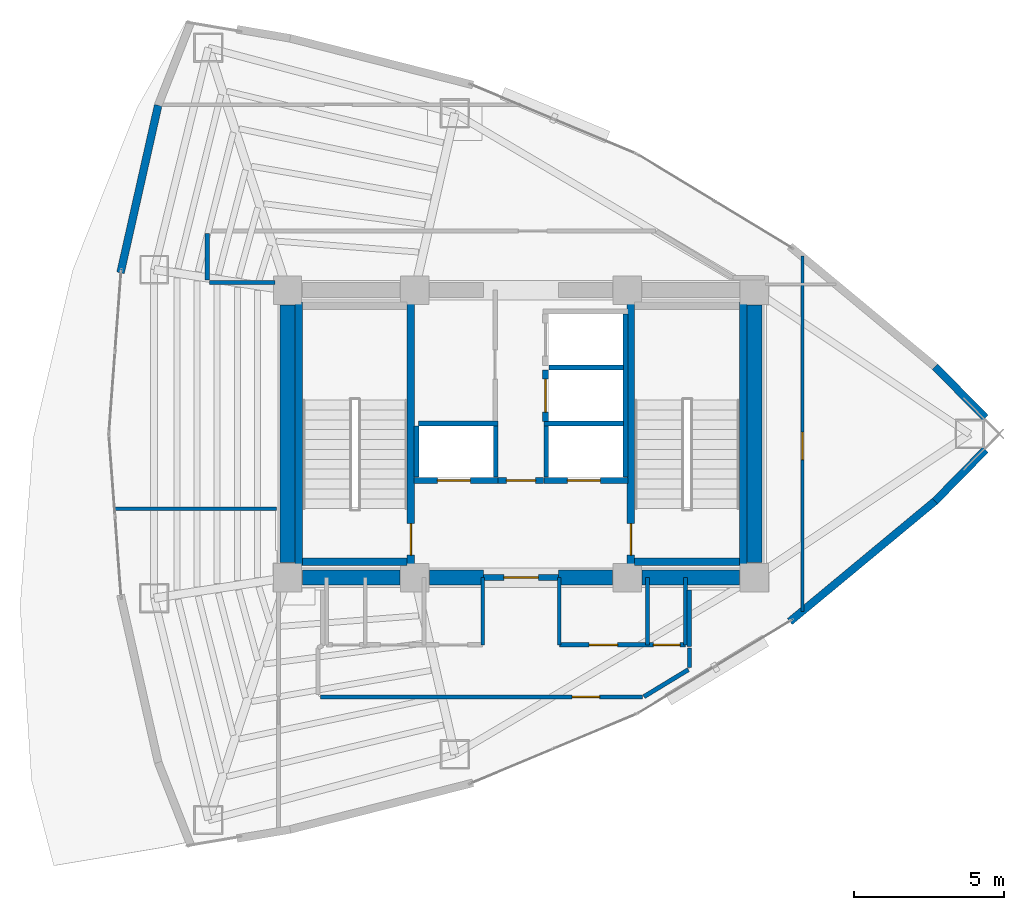
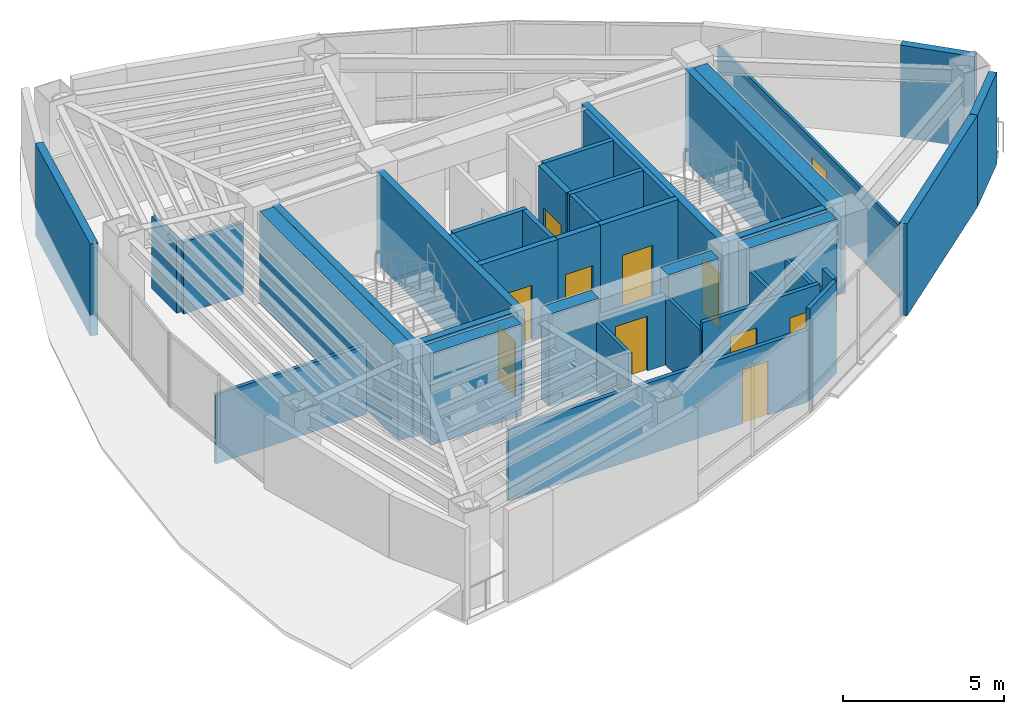
# One storey, part 12 of 15: 41 walls, 11 doors, 11 openings.
"""IFC4 building model written with IfcOpenShell, lengths in metres."""

import ifcopenshell
import ifcopenshell.guid

model = None  # the IFC model being written
_history = None  # IfcOwnerHistory: only IFC2X3 demands one
_inside = {}  # id of a spatial element -> (the spatial element, [elements in it])
_under = {}  # id of a project, library or spatial element -> (it, [spatial elements below it])
_declared = {}  # id of a project -> (the project, [libraries it declares])
_typed = {}  # id of a type object -> (the type object, [elements of that type])
_made_of = {}  # id of a material, layer set ... -> (it, [elements and type objects made of it])


def new_model(schema):
    """Start an empty IFC model of exactly this schema.

    Asked for "IFC4X3", IfcOpenShell would pick the latest addendum, in which some entities
    have other attributes; the version numbers below select the first issue.
    IFC2X3 requires an IfcOwnerHistory on every rooted entity: one is made here for all.
    """
    global model, _history
    if schema == "IFC4X3":
        model = ifcopenshell.file(schema_version=(4, 3, 0, 0))
    else:
        model = ifcopenshell.file(schema=schema)
    _inside.clear()
    _under.clear()
    _declared.clear()
    _typed.clear()
    _made_of.clear()
    _history = None
    if model.schema == "IFC2X3":
        org = make("IfcOrganization", Name="unknown")
        user = make(
            "IfcPersonAndOrganization",
            ThePerson=make("IfcPerson", FamilyName="unknown"),
            TheOrganization=org,
        )
        app = make(
            "IfcApplication",
            ApplicationDeveloper=org,
            Version="unknown",
            ApplicationFullName="unknown",
            ApplicationIdentifier="unknown",
        )
        _history = make(
            "IfcOwnerHistory",
            OwningUser=user,
            OwningApplication=app,
            ChangeAction="ADDED",
            CreationDate=0,
        )
    return model


def make(cls, **values):
    """One entity of the class cls with the attributes given. An attribute that is None is left unset."""
    return model.create_entity(
        cls, **{name: value for name, value in values.items() if value is not None}
    )


def rooted(cls, **values):
    """An entity with a GlobalId (a new one), such as an element, a storey or a relation."""
    return make(cls, GlobalId=ifcopenshell.guid.new(), OwnerHistory=_history, **values)


def si_unit(unit_type, name, prefix=None):
    """IfcSIUnit, for example si_unit("LENGTHUNIT", "METRE", prefix="MILLI")."""
    return make("IfcSIUnit", UnitType=unit_type, Prefix=prefix, Name=name)


def assignment(units):
    """IfcUnitAssignment: the units of a project."""
    return None if units is None else make("IfcUnitAssignment", Units=units)


def point(xyz):
    """IfcCartesianPoint."""
    return None if xyz is None else make("IfcCartesianPoint", Coordinates=xyz)


def direction(xyz):
    """IfcDirection."""
    return None if xyz is None else make("IfcDirection", DirectionRatios=xyz)


def frame(location, z_axis=None, x_axis=None):
    """IfcAxis2Placement3D, a coordinate frame: its origin and axes. An axis left out is left unset."""
    return make(
        "IfcAxis2Placement3D",
        Location=point(location),
        Axis=direction(z_axis),
        RefDirection=direction(x_axis),
    )


def frame_2d(location, x_axis=None):
    """IfcAxis2Placement2D, a coordinate frame in the plane: its origin and x axis."""
    return make(
        "IfcAxis2Placement2D", Location=point(location), RefDirection=direction(x_axis)
    )


def origin():
    """The frame at (0, 0, 0) with its axes left unset."""
    return frame((0.0, 0.0, 0.0))


def place(relative_to, where):
    """IfcLocalPlacement: puts the frame where relative to a parent placement (None: the world)."""
    return make(
        "IfcLocalPlacement", PlacementRelTo=relative_to, RelativePlacement=where
    )


def context(
    kind, dimensions, precision=None, world=None, true_north=None, identifier=None
):
    """IfcGeometricRepresentationContext, for example the 3D "Model" context."""
    return make(
        "IfcGeometricRepresentationContext",
        ContextIdentifier=identifier,
        ContextType=kind,
        CoordinateSpaceDimension=dimensions,
        Precision=precision,
        WorldCoordinateSystem=world,
        TrueNorth=true_north,
    )


def subcontext(parent, identifier, kind, view, scale=None):
    """IfcGeometricRepresentationSubContext, for example "Body" below "Model"."""
    return make(
        "IfcGeometricRepresentationSubContext",
        ContextIdentifier=identifier,
        ContextType=kind,
        ParentContext=parent,
        TargetScale=scale,
        TargetView=view,
    )


def project(units=None, contexts=None):
    """IfcProject with its units and contexts."""
    return rooted(
        "IfcProject",
        Name="project",
        RepresentationContexts=contexts,
        UnitsInContext=assignment(units),
    )


def spatial(cls, under=None, at=None, **own):
    """A site, building, storey or space (cls), placed at a placement, below another one or the project."""
    s = rooted(cls, ObjectPlacement=at, **own)
    if under is not None:
        _under.setdefault(under.id(), (under, []))[1].append(s)
    return s


def profile(cls, at=None, kind="AREA", **sizes):
    """A parametric profile (cls). Its sizes go by their IFC names, for example OverallWidth=200.0."""
    return make(cls, ProfileType=kind, Position=at, **sizes)


def rectangle(**sizes):
    """IfcRectangleProfileDef."""
    return profile("IfcRectangleProfileDef", **sizes)


def extrude(swept, where, along, depth):
    """IfcExtrudedAreaSolid: the profile swept, set in the frame where, extruded along a direction by depth."""
    return make(
        "IfcExtrudedAreaSolid",
        SweptArea=swept,
        Position=where,
        ExtrudedDirection=direction(along),
        Depth=depth,
    )


def shape(context_of_items, identifier, shape_type, items):
    """IfcShapeRepresentation: the items that make up one representation, for example the "Body"."""
    return make(
        "IfcShapeRepresentation",
        ContextOfItems=context_of_items,
        RepresentationIdentifier=identifier,
        RepresentationType=shape_type,
        Items=items,
    )


def material(Name=None, Category=None):
    """IfcMaterial."""
    return make("IfcMaterial", Name=Name, Category=Category)


def layer(
    of_material, thickness, ventilated=None, Name=None, Category=None, Priority=None
):
    """IfcMaterialLayer: one layer of a wall or slab, of a material (None: an air gap)."""
    return make(
        "IfcMaterialLayer",
        Material=of_material,
        LayerThickness=thickness,
        IsVentilated=ventilated,
        Name=Name,
        Category=Category,
        Priority=Priority,
    )


def layer_set(layers, Name=None):
    """IfcMaterialLayerSet."""
    return make("IfcMaterialLayerSet", MaterialLayers=layers, LayerSetName=Name)


def made_of(thing, what):
    """Note that an element or type object is made of a material, layer set ...; save() writes the relation."""
    if what is not None:
        _made_of.setdefault(what.id(), (what, []))[1].append(thing)
    return thing


def type_object(cls, material=None, **own):
    """A type object (cls), such as IfcWallType, which elements share."""
    return made_of(rooted(cls, **own), material)


def element(
    cls,
    number,
    at=None,
    inside=None,
    cuts=None,
    type_object=None,
    material=None,
    context=None,
    identifier="Body",
    shape_type=None,
    held_by="IfcProductDefinitionShape",
    body=None,
    shapes=None,
    **own,
):
    """One element of the class cls, such as IfcWall. Its Tag is "e" and its number.

    at: its placement. inside: the storey or other place that contains it. cuts: it is an
    opening in that element (IfcRelVoidsElement). A single representation is given by context,
    identifier, shape_type and body (its items); several are given by shapes. held_by: the class
    of the entity that holds the representations. save() writes the other relations.
    """
    e = rooted(cls, Tag="e%d" % number, ObjectPlacement=at, **own)
    if body is not None:
        shapes = [shape(context, identifier, shape_type, body)]
    if shapes is not None:
        e.Representation = make(held_by, Representations=shapes)
    if inside is not None:
        _inside.setdefault(inside.id(), (inside, []))[1].append(e)
    if cuts is not None:
        rooted(
            "IfcRelVoidsElement", RelatingBuildingElement=cuts, RelatedOpeningElement=e
        )
    if type_object is not None:
        _typed.setdefault(type_object.id(), (type_object, []))[1].append(e)
    return made_of(e, material)


def fill(opening, filler):
    """IfcRelFillsElement: the door or window that sits in an opening."""
    return rooted(
        "IfcRelFillsElement",
        RelatingOpeningElement=opening,
        RelatedBuildingElement=filler,
    )


def aggregate(whole, parts):
    """IfcRelAggregates: a whole, such as a stair, and the parts it consists of."""
    return rooted("IfcRelAggregates", RelatingObject=whole, RelatedObjects=parts)


def save(model, path):
    """Write the relations noted so far, then the file.

    IfcRelAggregates (storeys below a building ...), IfcRelContainedInSpatialStructure (elements
    in a storey), IfcRelDefinesByType, IfcRelAssociatesMaterial and IfcRelDeclares: one each for
    every whole, place, type object, material and project.
    """
    for whole, parts in _under.values():
        aggregate(whole, parts)
    for where, things in _inside.values():
        rooted(
            "IfcRelContainedInSpatialStructure",
            RelatedElements=things,
            RelatingStructure=where,
        )
    for kind, things in _typed.values():
        rooted("IfcRelDefinesByType", RelatedObjects=things, RelatingType=kind)
    for what, things in _made_of.values():
        rooted("IfcRelAssociatesMaterial", RelatedObjects=things, RelatingMaterial=what)
    for by, libraries in _declared.values():
        rooted("IfcRelDeclares", RelatingContext=by, RelatedDefinitions=libraries)
    model.write(path)


model = new_model("IFC4")

# Units and contexts
model_context = context("Model", 3, precision=1e-05, world=origin(), true_north=direction((0.0, 1.0)))
body_context = subcontext(model_context, "Body", "Model", "MODEL_VIEW")
ifc_project = project(units=[si_unit("LENGTHUNIT", "METRE"), si_unit("AREAUNIT", "SQUARE_METRE"), si_unit("VOLUMEUNIT", "CUBIC_METRE"), si_unit("PLANEANGLEUNIT", "RADIAN"), si_unit("MASSUNIT", "GRAM", prefix="KILO")], contexts=[model_context])

# Site, building, storey
site_placement = place(None, origin())
site = spatial("IfcSite", under=ifc_project, at=site_placement, CompositionType="ELEMENT")
building_placement = place(site_placement, origin())
building = spatial("IfcBuilding", under=site, at=building_placement, Name="Menara Vayukalpa", CompositionType="ELEMENT")
storey_placement = place(building_placement, frame((0.0, 0.0, 184.080078125)))
storey = spatial("IfcBuildingStorey", under=building, at=storey_placement, Name="L46", CompositionType="ELEMENT", Elevation=184.080078125)

# Walls
ifc_material_1 = material(Name="Concrete C60/75", Category="concrete")
ifc_layer_1 = layer(ifc_material_1, 0.5)
ifc_layer_set_1 = layer_set([ifc_layer_1], Name="Concrete C60/75")
wall_type_1 = type_object("IfcWallType", Name="WAL-CW500", PredefinedType="SHEAR", material=ifc_layer_set_1)
wall_1_placement = place(storey_placement, frame((18.294921875, 17.199951171875, 0.0), z_axis=(0.0, 0.0, 1.0), x_axis=(1.0, 0.0, 0.0)))
element("IfcWall", 1, at=wall_1_placement, inside=storey, type_object=wall_type_1, Name="L46 Buttressed Core Shear Wall CWS1", PredefinedType="SHEAR", context=body_context, shape_type="SweptSolid", body=[
    extrude(rectangle(XDim=3.260009765625, YDim=0.5, at=frame_2d((1.6298828125, 0.0))), origin(), (0.0, 0.0, 1.0), 3.5),
])
wall_2_placement = place(storey_placement, frame((22.544921875, 17.199951171875, 0.0), z_axis=(0.0, 0.0, 1.0), x_axis=(1.0, 0.0, 0.0)))
element("IfcWall", 2, at=wall_2_placement, inside=storey, type_object=wall_type_1, Name="L46 Buttressed Core Shear Wall CWS2", PredefinedType="SHEAR", context=body_context, shape_type="SweptSolid", body=[
    extrude(rectangle(XDim=1.80517578125, YDim=0.5, at=frame_2d((0.902587890625, 0.0))), origin(), (0.0, 0.0, 1.0), 3.5),
])
wall_3_placement = place(storey_placement, frame((26.85009765625, 17.199951171875, 0.0), z_axis=(0.0, 0.0, 1.0), x_axis=(1.0, 0.0, 0.0)))
element("IfcWall", 3, at=wall_3_placement, inside=storey, type_object=wall_type_1, Name="L46 Buttressed Core Shear Wall CWS3", PredefinedType="SHEAR", context=body_context, shape_type="SweptSolid", body=[
    extrude(rectangle(XDim=1.804931640625, YDim=0.5, at=frame_2d((0.90234375, 0.0))), origin(), (0.0, 0.0, 1.0), 3.5),
])
wall_4_placement = place(storey_placement, frame((29.64501953125, 17.199951171875, 0.0), z_axis=(0.0, 0.0, 1.0), x_axis=(1.0, 0.0, 0.0)))
element("IfcWall", 4, at=wall_4_placement, inside=storey, type_object=wall_type_1, Name="L46 Buttressed Core Shear Wall CWS4", PredefinedType="SHEAR", context=body_context, shape_type="SweptSolid", body=[
    extrude(rectangle(XDim=3.260009765625, YDim=0.5, at=frame_2d((1.6298828125, 0.0))), origin(), (0.0, 0.0, 1.0), 3.5),
])
for number, where, z_axis, x_axis, name in (
    (5, (17.800048828125, 17.695068359375, 0.0), (0.0, 0.0, 1.0), (0.0, 1.0, 0.0), "L46 Buttressed Core Shear Wall CWW1"),
    (6, (33.39990234375, 17.695068359375, 0.0), (0.0, 0.0, 1.0), (0.0, 1.0, 0.0), "L46 Buttressed Core Shear Wall CWE1"),
):
    element("IfcWall", number, at=place(storey_placement, frame(where, z_axis=z_axis, x_axis=x_axis)), inside=storey, type_object=wall_type_1, Name=name, PredefinedType="SHEAR", context=body_context, shape_type="SweptSolid", body=[
        extrude(rectangle(XDim=8.60986328125, YDim=0.5, at=frame_2d((4.304931640625, 0.0))), origin(), (0.0, 0.0, 1.0), 3.5),
    ])
ifc_material_2 = material(Name="Insulated Precast Concrete C40/50", Category="concrete")
ifc_layer_2 = layer(ifc_material_2, 0.260009765625)
ifc_layer_set_2 = layer_set([ifc_layer_2], Name="Insulated Precast Concrete C40/50")
wall_type_2 = type_object("IfcWallType", Name="WAL-EXT260", PredefinedType="PARTITIONING", material=ifc_layer_set_2)
for number, where, z_axis, x_axis, name in (
    (7, (41.11669921875, 21.466552734375, 0.0), (0.0, 0.0, 1.0), (-0.700567481584, -0.7135861572, 0.0), "L46 Perimeter Terracotta Pier Wall 01"),
    (8, (39.43505859375, 24.246337890625, 0.0), (0.0, 0.0, 1.0), (0.700567481584, -0.7135861572, 0.0), "L46 Perimeter Terracotta Pier Wall 02"),
):
    element("IfcWall", number, at=place(storey_placement, frame(where, z_axis=z_axis, x_axis=x_axis)), inside=storey, type_object=wall_type_2, Name=name, PredefinedType="PARTITIONING", context=body_context, shape_type="SweptSolid", body=[
        extrude(rectangle(XDim=2.400390625, YDim=0.260009765625, at=frame_2d((1.2001953125, 0.0))), origin(), (0.0, 0.0, 1.0), 3.5),
    ])
wall_5_placement = place(storey_placement, frame((12.219970703125, 27.3818359375, 0.0), z_axis=(0.0, 0.0, 1.0), x_axis=(0.219475737697, 0.975617958303, 0.0)))
element("IfcWall", 9, at=wall_5_placement, inside=storey, type_object=wall_type_2, Name="L46 Perimeter Terracotta Pier Wall 09", PredefinedType="PARTITIONING", context=body_context, shape_type="SweptSolid", body=[
    extrude(rectangle(XDim=5.736572265625, YDim=0.260009765625, at=frame_2d((2.8681640625, 0.0))), origin(), (0.0, 0.0, 1.0), 3.5),
])
wall_6_placement = place(storey_placement, frame((39.44384765625, 19.76171875, 0.0), z_axis=(0.0, 0.0, 1.0), x_axis=(-0.769765373155, -0.638326930571, 0.0)))
element("IfcWall", 10, at=wall_6_placement, inside=storey, type_object=wall_type_2, Name="L46 Perimeter Terracotta Pier Wall 18", PredefinedType="PARTITIONING", context=body_context, shape_type="SweptSolid", body=[
    extrude(rectangle(XDim=6.3154296875, YDim=0.260009765625, at=frame_2d((3.15771484375, 0.0))), origin(), (0.0, 0.0, 1.0), 3.5),
])
ifc_material_3 = material(Name="Lightweight Concrete Blockwork C16/20", Category="masonry")
ifc_layer_3 = layer(ifc_material_3, 0.159912109375)
ifc_layer_set_3 = layer_set([ifc_layer_3], Name="Lightweight Concrete Blockwork C16/20")
wall_type_3 = type_object("IfcWallType", Name="WAL-FR150", PredefinedType="PARTITIONING", material=ifc_layer_set_3)
for number, where, z_axis, x_axis, name in (
    (11, (22.10498046875, 20.56005859375, 0.0), (0.0, 0.0, 1.0), (0.0, 1.0, 0.0), "L46 Interior Partition IW-L46-SHW-WW"),
    (12, (24.7548828125, 20.56005859375, 0.0), (0.0, 0.0, 1.0), (0.0, 1.0, 0.0), "L46 Interior Partition IW-L46-SHW-W1E"),
):
    element("IfcWall", number, at=place(storey_placement, frame(where, z_axis=z_axis, x_axis=x_axis)), inside=storey, type_object=wall_type_3, Name=name, PredefinedType="PARTITIONING", context=body_context, shape_type="SweptSolid", body=[
        extrude(rectangle(XDim=1.7099609375, YDim=0.159912109375, at=frame_2d((0.85498046875, 0.0))), origin(), (0.0, 0.0, 1.0), 3.5),
    ])
wall_7_placement = place(storey_placement, frame((22.179931640625, 22.344970703125, 0.0), z_axis=(0.0, 0.0, 1.0), x_axis=(1.0, 0.0, 0.0)))
element("IfcWall", 13, at=wall_7_placement, inside=storey, type_object=wall_type_3, Name="L46 Interior Partition IW-L46-SHM-W12", PredefinedType="PARTITIONING", context=body_context, shape_type="SweptSolid", body=[
    extrude(rectangle(XDim=2.650146484375, YDim=0.159912109375, at=frame_2d((1.3251953125, 0.0))), origin(), (0.0, 0.0, 1.0), 3.5),
])
wall_8_placement = place(storey_placement, frame((29.094970703125, 20.56005859375, 0.0), z_axis=(0.0, 0.0, 1.0), x_axis=(0.0, 1.0, 0.0)))
element("IfcWall", 14, at=wall_8_placement, inside=storey, type_object=wall_type_3, Name="L46 Interior Partition IW-L46-SHW-EE", PredefinedType="PARTITIONING", context=body_context, shape_type="SweptSolid", body=[
    extrude(rectangle(XDim=5.449951171875, YDim=0.159912109375, at=frame_2d((2.72509765625, 0.0))), origin(), (0.0, 0.0, 1.0), 3.5),
])
wall_9_placement = place(storey_placement, frame((26.445068359375, 20.56005859375, 0.0), z_axis=(0.0, 0.0, 1.0), x_axis=(0.0, 1.0, 0.0)))
element("IfcWall", 15, at=wall_9_placement, inside=storey, type_object=wall_type_3, Name="L46 Interior Partition IW-L46-SHW-E1W", PredefinedType="PARTITIONING", context=body_context, shape_type="SweptSolid", body=[
    extrude(rectangle(XDim=1.7099609375, YDim=0.159912109375, at=frame_2d((0.85498046875, 0.0))), origin(), (0.0, 0.0, 1.0), 3.5),
])
wall_10_placement = place(storey_placement, frame((26.3701171875, 22.344970703125, 0.0), z_axis=(0.0, 0.0, 1.0), x_axis=(1.0, 0.0, 0.0)))
element("IfcWall", 16, at=wall_10_placement, inside=storey, type_object=wall_type_3, Name="L46 Interior Partition IW-L46-SHM-E13", PredefinedType="PARTITIONING", context=body_context, shape_type="SweptSolid", body=[
    extrude(rectangle(XDim=2.64990234375, YDim=0.159912109375, at=frame_2d((1.324951171875, 0.0))), origin(), (0.0, 0.0, 1.0), 3.5),
])
wall_11_placement = place(storey_placement, frame((26.530029296875, 24.215087890625, 0.0), z_axis=(0.0, 0.0, 1.0), x_axis=(1.0, 0.0, 0.0)))
element("IfcWall", 17, at=wall_11_placement, inside=storey, type_object=wall_type_3, Name="L46 Interior Partition IW-L46-SHM-E32", PredefinedType="PARTITIONING", context=body_context, shape_type="SweptSolid", body=[
    extrude(rectangle(XDim=2.489990234375, YDim=0.159912109375, at=frame_2d((1.2451171875, 0.0))), origin(), (0.0, 0.0, 1.0), 3.5),
])

# Wall, opening, door
ifc_material_4 = material(Name="Lightweight Concrete Blockwork C16/20", Category="masonry")
ifc_layer_4 = layer(ifc_material_4, 0.199951171875)
ifc_layer_set_4 = layer_set([ifc_layer_4], Name="Lightweight Concrete Blockwork C16/20")
wall_type_4 = type_object("IfcWallType", Name="WAL-FR200", PredefinedType="PARTITIONING", material=ifc_layer_set_4)
wall_12_placement = place(storey_placement, frame((24.35009765625, 17.199951171875, 0.0), z_axis=(0.0, 0.0, 1.0), x_axis=(1.0, 0.0, 0.0)))
wall_12 = element("IfcWall", 18, at=wall_12_placement, inside=storey, type_object=wall_type_4, Name="L46 Interior Partition IW-L46-FFLS", PredefinedType="PARTITIONING", context=body_context, shape_type="SweptSolid", body=[
    extrude(rectangle(XDim=2.5, YDim=0.199951171875, at=frame_2d((1.25, 0.0))), origin(), (0.0, 0.0, 1.0), 2.6298828125),
])
opening_1_placement = place(wall_12_placement, frame((0.679931640625, 0.0, 0.0)))
opening_1 = element("IfcOpeningElement", 19, at=opening_1_placement, cuts=wall_12, Name="Opening ID2", PredefinedType="OPENING", context=body_context, shape_type="SweptSolid", body=[
    extrude(rectangle(XDim=1.14990234375, YDim=2.080078125, at=frame_2d((0.574951171875, 1.0400390625))), frame((0.0, 0.10986328125, 0.0), z_axis=(0.0, -1.0, 0.0), x_axis=(1.0, 0.0, 0.0)), (0.0, 0.0, 1.0), 0.219970703125),
])
ifc_material_5 = material(Name="Fire-Rated Powder-Coated Steel Door", Category="steel")
door_type_1 = type_object("IfcDoorType", Name="DR-FD60W", OperationType="NOTDEFINED", PredefinedType="DOOR", material=ifc_material_5)
door_1_placement = place(opening_1_placement, origin())
door_1 = element("IfcDoor", 20, at=door_1_placement, inside=storey, type_object=door_type_1, Name="L46 Interior Door DR-L46-FFLS", OperationType="SINGLE_SWING_RIGHT", OverallHeight=2.080078125, OverallWidth=1.14990234375, PredefinedType="DOOR", context=body_context, shape_type="SweptSolid", body=[
    extrude(rectangle(XDim=1.14990234375, YDim=2.080078125, at=frame_2d((0.574951171875, 1.0400390625))), frame((0.0, 0.02490234375, 0.0), z_axis=(0.0, -1.0, 0.0), x_axis=(1.0, 0.0, 0.0)), (0.0, 0.0, 1.0), 0.050048828125),
])
fill(opening_1, door_1)

wall_13_placement = place(storey_placement, frame((24.840087890625, 20.449951171875, 0.0), z_axis=(0.0, 0.0, 1.0), x_axis=(1.0, 0.0, 0.0)))
wall_13 = element("IfcWall", 21, at=wall_13_placement, inside=storey, type_object=wall_type_4, Name="L46 Interior Partition IW-L46-FFLN", PredefinedType="PARTITIONING", context=body_context, shape_type="SweptSolid", body=[
    extrude(rectangle(XDim=1.52001953125, YDim=0.199951171875, at=frame_2d((0.760009765625, 0.0))), origin(), (0.0, 0.0, 1.0), 3.5),
])
opening_2_placement = place(wall_13_placement, frame((0.27001953125, 0.0, 0.0)))
opening_2 = element("IfcOpeningElement", 22, at=opening_2_placement, cuts=wall_13, Name="Opening ID3", PredefinedType="OPENING", context=body_context, shape_type="SweptSolid", body=[
    extrude(rectangle(XDim=0.97998046875, YDim=2.06005859375, at=frame_2d((0.489990234375, 1.030029296875))), frame((0.0, 0.10986328125, 0.0), z_axis=(0.0, -1.0, 0.0), x_axis=(1.0, 0.0, 0.0)), (0.0, 0.0, 1.0), 0.219970703125),
])
ifc_material_6 = material(Name="Fire-Rated Powder-Coated Steel Door", Category="steel")
door_type_2 = type_object("IfcDoorType", Name="DR-FD60", OperationType="NOTDEFINED", PredefinedType="DOOR", material=ifc_material_6)
door_2_placement = place(opening_2_placement, origin())
door_2 = element("IfcDoor", 23, at=door_2_placement, inside=storey, type_object=door_type_2, Name="L46 Interior Door DR-L46-FFLN", OperationType="SINGLE_SWING_LEFT", OverallHeight=2.06005859375, OverallWidth=0.97998046875, PredefinedType="DOOR", context=body_context, shape_type="SweptSolid", body=[
    extrude(rectangle(XDim=0.97998046875, YDim=2.06005859375, at=frame_2d((0.489990234375, 1.030029296875))), frame((0.0, 0.02490234375, 0.0), z_axis=(0.0, -1.0, 0.0), x_axis=(1.0, 0.0, 0.0)), (0.0, 0.0, 1.0), 0.050048828125),
])
fill(opening_2, door_2)

wall_14_placement = place(storey_placement, frame((22.030029296875, 20.449951171875, 0.0), z_axis=(0.0, 0.0, 1.0), x_axis=(1.0, 0.0, 0.0)))
wall_14 = element("IfcWall", 24, at=wall_14_placement, inside=storey, type_object=wall_type_4, Name="L46 Interior Partition IW-L46-SH-W1", PredefinedType="PARTITIONING", context=body_context, shape_type="SweptSolid", body=[
    extrude(rectangle(XDim=2.800048828125, YDim=0.199951171875, at=frame_2d((1.39990234375, 0.0))), origin(), (0.0, 0.0, 1.0), 3.5),
])
opening_3_placement = place(wall_14_placement, frame((0.780029296875, 0.0, 0.0)))
opening_3 = element("IfcOpeningElement", 25, at=opening_3_placement, cuts=wall_14, Name="Opening LD1", PredefinedType="OPENING", context=body_context, shape_type="SweptSolid", body=[
    extrude(rectangle(XDim=1.10009765625, YDim=2.080078125, at=frame_2d((0.550048828125, 1.0400390625))), frame((0.0, 0.10986328125, 0.0), z_axis=(0.0, -1.0, 0.0), x_axis=(1.0, 0.0, 0.0)), (0.0, 0.0, 1.0), 0.219970703125),
])
ifc_material_7 = material(Name="Brushed Stainless Steel 316 Lift Door", Category="steel")
door_type_3 = type_object("IfcDoorType", Name="DR-LD110", OperationType="NOTDEFINED", PredefinedType="DOOR", material=ifc_material_7)
door_3_placement = place(opening_3_placement, origin())
door_3 = element("IfcDoor", 26, at=door_3_placement, inside=storey, type_object=door_type_3, Name="L46 Interior Door DR-L46-LD-W1", OperationType="DOUBLE_DOOR_SLIDING", OverallHeight=2.080078125, OverallWidth=1.10009765625, PredefinedType="DOOR", context=body_context, shape_type="SweptSolid", body=[
    extrude(rectangle(XDim=1.10009765625, YDim=2.080078125, at=frame_2d((0.550048828125, 1.0400390625))), frame((0.0, 0.02490234375, 0.0), z_axis=(0.0, -1.0, 0.0), x_axis=(1.0, 0.0, 0.0)), (0.0, 0.0, 1.0), 0.050048828125),
])
fill(opening_3, door_3)

wall_15_placement = place(storey_placement, frame((26.3701171875, 20.449951171875, 0.0), z_axis=(0.0, 0.0, 1.0), x_axis=(1.0, 0.0, 0.0)))
wall_15 = element("IfcWall", 27, at=wall_15_placement, inside=storey, type_object=wall_type_4, Name="L46 Interior Partition IW-L46-SH-E1", PredefinedType="PARTITIONING", context=body_context, shape_type="SweptSolid", body=[
    extrude(rectangle(XDim=2.7998046875, YDim=0.199951171875, at=frame_2d((1.39990234375, 0.0))), origin(), (0.0, 0.0, 1.0), 3.5),
])
opening_4_placement = place(wall_15_placement, frame((0.780029296875, 0.0, 0.0)))
opening_4 = element("IfcOpeningElement", 28, at=opening_4_placement, cuts=wall_15, Name="Opening LD1", PredefinedType="OPENING", context=body_context, shape_type="SweptSolid", body=[
    extrude(rectangle(XDim=1.10009765625, YDim=2.080078125, at=frame_2d((0.550048828125, 1.0400390625))), frame((0.0, 0.10986328125, 0.0), z_axis=(0.0, -1.0, 0.0), x_axis=(1.0, 0.0, 0.0)), (0.0, 0.0, 1.0), 0.219970703125),
])
door_4_placement = place(opening_4_placement, origin())
door_4 = element("IfcDoor", 29, at=door_4_placement, inside=storey, type_object=door_type_3, Name="L46 Interior Door DR-L46-LD-E1", OperationType="DOUBLE_DOOR_SLIDING", OverallHeight=2.080078125, OverallWidth=1.10009765625, PredefinedType="DOOR", context=body_context, shape_type="SweptSolid", body=[
    extrude(rectangle(XDim=1.10009765625, YDim=2.080078125, at=frame_2d((0.550048828125, 1.0400390625))), frame((0.0, 0.02490234375, 0.0), z_axis=(0.0, -1.0, 0.0), x_axis=(1.0, 0.0, 0.0)), (0.0, 0.0, 1.0), 0.050048828125),
])
fill(opening_4, door_4)

wall_16_placement = place(storey_placement, frame((26.419921875, 22.419921875, 0.0), z_axis=(0.0, 0.0, 1.0), x_axis=(0.0, 1.0, 0.0)))
wall_16 = element("IfcWall", 30, at=wall_16_placement, inside=storey, type_object=wall_type_4, Name="L46 Interior Partition IW-L46-SH-E3", PredefinedType="PARTITIONING", context=body_context, shape_type="SweptSolid", body=[
    extrude(rectangle(XDim=1.719970703125, YDim=0.199951171875, at=frame_2d((0.85986328125, 0.0))), origin(), (0.0, 0.0, 1.0), 3.5),
])
opening_5_placement = place(wall_16_placement, frame((0.31005859375, 0.0, 0.0)))
opening_5 = element("IfcOpeningElement", 31, at=opening_5_placement, cuts=wall_16, Name="Opening LD1", PredefinedType="OPENING", context=body_context, shape_type="SweptSolid", body=[
    extrude(rectangle(XDim=1.10009765625, YDim=2.080078125, at=frame_2d((0.550048828125, 1.0400390625))), frame((0.0, 0.10986328125, 0.0), z_axis=(0.0, -1.0, 0.0), x_axis=(1.0, 0.0, 0.0)), (0.0, 0.0, 1.0), 0.219970703125),
])
door_5_placement = place(opening_5_placement, origin())
door_5 = element("IfcDoor", 32, at=door_5_placement, inside=storey, type_object=door_type_3, Name="L46 Interior Door DR-L46-LD-E3", OperationType="DOUBLE_DOOR_SLIDING", OverallHeight=2.080078125, OverallWidth=1.10009765625, PredefinedType="DOOR", context=body_context, shape_type="SweptSolid", body=[
    extrude(rectangle(XDim=1.10009765625, YDim=2.080078125, at=frame_2d((0.550048828125, 1.0400390625))), frame((0.0, 0.02490234375, 0.0), z_axis=(0.0, -1.0, 0.0), x_axis=(1.0, 0.0, 0.0)), (0.0, 0.0, 1.0), 0.050048828125),
])
fill(opening_5, door_5)

ifc_material_8 = material(Name="Glazed Demountable Office Partition", Category="glass")
ifc_layer_5 = layer(ifc_material_8, 0.094970703125)
ifc_layer_set_5 = layer_set([ifc_layer_5], Name="Glazed Demountable Office Partition")
wall_type_5 = type_object("IfcWallType", Name="WAL-PT100", PredefinedType="PARTITIONING", material=ifc_layer_set_5)
wall_17_placement = place(storey_placement, frame((35.0, 16.063720703125, 0.0), z_axis=(0.0, 0.0, 1.0), x_axis=(0.0, 1.0, 0.0)))
wall_17 = element("IfcWall", 33, at=wall_17_placement, inside=storey, type_object=wall_type_5, Name="L46 Interior Partition IW-L46-RDIV02", PredefinedType="PARTITIONING", context=body_context, shape_type="SweptSolid", body=[
    extrude(rectangle(XDim=11.87255859375, YDim=0.094970703125, at=frame_2d((5.936279296875, 0.0))), origin(), (0.0, 0.0, 1.0), 2.72998046875),
])
opening_6_placement = place(wall_17_placement, frame((5.077392578125, 0.0, 0.0)))
opening_6 = element("IfcOpeningElement", 34, at=opening_6_placement, cuts=wall_17, Name="Opening ID6", PredefinedType="OPENING", context=body_context, shape_type="SweptSolid", body=[
    extrude(rectangle(XDim=0.919921875, YDim=2.050048828125, at=frame_2d((0.4599609375, 1.02490234375))), frame((0.0, 0.057373046875, 0.0), z_axis=(0.0, -1.0, 0.0), x_axis=(1.0, 0.0, 0.0)), (0.0, 0.0, 1.0), 0.114990234375),
])
ifc_material_9 = material(Name="Acoustic Hardwood Veneer Timber Door", Category="wood")
door_type_4 = type_object("IfcDoorType", Name="DR-INT92", OperationType="NOTDEFINED", PredefinedType="DOOR", material=ifc_material_9)
door_6_placement = place(opening_6_placement, origin())
door_6 = element("IfcDoor", 35, at=door_6_placement, inside=storey, type_object=door_type_4, Name="L46 Interior Door DR-L46-STE03", OperationType="SINGLE_SWING_LEFT", OverallHeight=2.050048828125, OverallWidth=0.919921875, PredefinedType="DOOR", context=body_context, shape_type="SweptSolid", body=[
    extrude(rectangle(XDim=0.919921875, YDim=2.050048828125, at=frame_2d((0.4599609375, 1.02490234375))), frame((0.0, 0.02490234375, 0.0), z_axis=(0.0, -1.0, 0.0), x_axis=(1.0, 0.0, 0.0)), (0.0, 0.0, 1.0), 0.050048828125),
])
fill(opening_6, door_6)

# Walls
ifc_material_10 = material(Name="Acoustic Mineral Stud Partition", Category="masonry")
ifc_layer_6 = layer(ifc_material_10, 0.110107421875)
ifc_layer_set_6 = layer_set([ifc_layer_6], Name="Acoustic Mineral Stud Partition")
wall_type_6 = type_object("IfcWallType", Name="WAL-PT110", PredefinedType="PARTITIONING", material=ifc_layer_set_6)
wall_18_placement = place(storey_placement, frame((26.8798828125, 14.949951171875, 0.0), z_axis=(0.0, 0.0, 1.0), x_axis=(0.0, 1.0, 0.0)))
element("IfcWall", 36, at=wall_18_placement, inside=storey, type_object=wall_type_6, Name="L46 Interior Partition IW-L46-SVCD-05", PredefinedType="PARTITIONING", context=body_context, shape_type="SweptSolid", body=[
    extrude(rectangle(XDim=2.25, YDim=0.110107421875, at=frame_2d((1.125, 0.0))), origin(), (0.0, 0.0, 1.0), 2.6298828125),
])
ifc_material_11 = material(Name="Gypsum Drywall Steel Stud Assembly", Category="steel")
ifc_layer_7 = layer(ifc_material_11, 0.125)
ifc_layer_set_7 = layer_set([ifc_layer_7], Name="Gypsum Drywall Steel Stud Assembly")
wall_type_7 = type_object("IfcWallType", Name="WAL-PT125", PredefinedType="PARTITIONING", material=ifc_layer_set_7)
for number, where, z_axis, x_axis, name in (
    (37, (24.320068359375, 14.949951171875, 0.0), (0.0, 0.0, 1.0), (0.0, 1.0, 0.0), "L46 Interior Partition IW-L46-SVCD-04"),
    (38, (29.830078125, 14.949951171875, 0.0), (0.0, 0.0, 1.0), (0.0, 1.0, 0.0), "L46 Interior Partition IW-L46-SVCD-06"),
    (39, (31.10009765625, 14.949951171875, 0.0), (0.0, 0.0, 1.0), (0.0, 1.0, 0.0), "L46 Interior Partition IW-L46-SVCD-07"),
):
    element("IfcWall", number, at=place(storey_placement, frame(where, z_axis=z_axis, x_axis=x_axis)), inside=storey, type_object=wall_type_7, Name=name, PredefinedType="PARTITIONING", context=body_context, shape_type="SweptSolid", body=[
        extrude(rectangle(XDim=2.25, YDim=0.125, at=frame_2d((1.125, 0.0))), origin(), (0.0, 0.0, 1.0), 2.6298828125),
    ])
wall_19_placement = place(storey_placement, frame((12.009765625, 19.5, 0.0), z_axis=(0.0, 0.0, 1.0), x_axis=(1.0, 0.0, 0.0)))
element("IfcWall", 40, at=wall_19_placement, inside=storey, type_object=wall_type_7, Name="L46 Interior Partition IW-L46-RDIV03", PredefinedType="PARTITIONING", context=body_context, shape_type="SweptSolid", body=[
    extrude(rectangle(XDim=5.420166015625, YDim=0.125, at=frame_2d((2.7099609375, 0.0))), origin(), (0.0, 0.0, 1.0), 2.6298828125),
])

# Wall, openings, doors
ifc_material_12 = material(Name="Gypsum Drywall Acoustic Stud Assembly", Category="masonry")
ifc_layer_8 = layer(ifc_material_12, 0.14501953125)
ifc_layer_set_8 = layer_set([ifc_layer_8], Name="Gypsum Drywall Acoustic Stud Assembly")
wall_type_8 = type_object("IfcWallType", Name="WAL-PT150", PredefinedType="PARTITIONING", material=ifc_layer_set_8)
wall_20_placement = place(storey_placement, frame((26.8798828125, 14.949951171875, 0.0), z_axis=(0.0, 0.0, 1.0), x_axis=(1.0, 0.0, 0.0)))
wall_20 = element("IfcWall", 41, at=wall_20_placement, inside=storey, type_object=wall_type_8, Name="L46 Interior Partition IW-L46-SVCS-E", PredefinedType="PARTITIONING", context=body_context, shape_type="SweptSolid", body=[
    extrude(rectangle(XDim=4.22021484375, YDim=0.14501953125, at=frame_2d((2.110107421875, 0.0))), origin(), (0.0, 0.0, 1.0), 2.929931640625),
])
opening_7_placement = place(wall_20_placement, frame((0.9951171875, 0.0, 0.0)))
opening_7 = element("IfcOpeningElement", 42, at=opening_7_placement, cuts=wall_20, Name="Opening ID5", PredefinedType="OPENING", context=body_context, shape_type="SweptSolid", body=[
    extrude(rectangle(XDim=0.949951171875, YDim=2.06005859375, at=frame_2d((0.47509765625, 1.030029296875))), frame((0.0, 0.08251953125, 0.0), z_axis=(0.0, -1.0, 0.0), x_axis=(1.0, 0.0, 0.0)), (0.0, 0.0, 1.0), 0.1650390625),
])
opening_8_placement = place(wall_20_placement, frame((3.139892578125, 0.0, 0.0)))
opening_8 = element("IfcOpeningElement", 43, at=opening_8_placement, cuts=wall_20, Name="Opening ID7", PredefinedType="OPENING", context=body_context, shape_type="SweptSolid", body=[
    extrude(rectangle(XDim=0.89990234375, YDim=2.02001953125, at=frame_2d((0.449951171875, 1.010009765625))), frame((0.0, 0.08251953125, 0.0), z_axis=(0.0, -1.0, 0.0), x_axis=(1.0, 0.0, 0.0)), (0.0, 0.0, 1.0), 0.1650390625),
])
ifc_material_13 = material(Name="Acoustic Hardwood Veneer Timber Door", Category="wood")
door_type_5 = type_object("IfcDoorType", Name="DR-INT95", OperationType="NOTDEFINED", PredefinedType="DOOR", material=ifc_material_13)
door_7_placement = place(opening_7_placement, origin())
door_7 = element("IfcDoor", 44, at=door_7_placement, inside=storey, type_object=door_type_5, Name="L46 Interior Door DR-L46-KSV1", OperationType="SINGLE_SWING_RIGHT", OverallHeight=2.06005859375, OverallWidth=0.949951171875, PredefinedType="DOOR", context=body_context, shape_type="SweptSolid", body=[
    extrude(rectangle(XDim=0.949951171875, YDim=2.06005859375, at=frame_2d((0.47509765625, 1.030029296875))), frame((0.0, 0.02490234375, 0.0), z_axis=(0.0, -1.0, 0.0), x_axis=(1.0, 0.0, 0.0)), (0.0, 0.0, 1.0), 0.050048828125),
])
fill(opening_7, door_7)
ifc_material_14 = material(Name="Powder-Coated Steel Riser Access Door", Category="steel")
door_type_6 = type_object("IfcDoorType", Name="DR-RISER", OperationType="NOTDEFINED", PredefinedType="DOOR", material=ifc_material_14)
door_8_placement = place(opening_8_placement, origin())
door_8 = element("IfcDoor", 45, at=door_8_placement, inside=storey, type_object=door_type_6, Name="L46 Interior Door DR-L46-SMD", OperationType="SINGLE_SWING_LEFT", OverallHeight=2.02001953125, OverallWidth=0.89990234375, PredefinedType="DOOR", context=body_context, shape_type="SweptSolid", body=[
    extrude(rectangle(XDim=0.89990234375, YDim=2.02001953125, at=frame_2d((0.449951171875, 1.010009765625))), frame((0.0, 0.02490234375, 0.0), z_axis=(0.0, -1.0, 0.0), x_axis=(1.0, 0.0, 0.0)), (0.0, 0.0, 1.0), 0.050048828125),
])
fill(opening_8, door_8)

# Wall, opening, door
wall_21_placement = place(storey_placement, frame((18.89990234375, 13.2099609375, 0.0), z_axis=(0.0, 0.0, 1.0), x_axis=(1.0, 0.0, 0.0)))
wall_21 = element("IfcWall", 46, at=wall_21_placement, inside=storey, type_object=wall_type_8, Name="L46 Interior Partition IW-L46-CRM02-3", PredefinedType="PARTITIONING", context=body_context, shape_type="SweptSolid", body=[
    extrude(rectangle(XDim=10.767578125, YDim=0.14501953125, at=frame_2d((5.3837890625, 0.0))), origin(), (0.0, 0.0, 1.0), 2.72998046875),
])
opening_9_placement = place(wall_21_placement, frame((8.406494140625, 0.0, 0.0)))
opening_9 = element("IfcOpeningElement", 47, at=opening_9_placement, cuts=wall_21, Name="Opening ID6", PredefinedType="OPENING", context=body_context, shape_type="SweptSolid", body=[
    extrude(rectangle(XDim=0.919921875, YDim=2.050048828125, at=frame_2d((0.4599609375, 1.02490234375))), frame((0.0, 0.08251953125, 0.0), z_axis=(0.0, -1.0, 0.0), x_axis=(1.0, 0.0, 0.0)), (0.0, 0.0, 1.0), 0.1650390625),
])
door_9_placement = place(opening_9_placement, origin())
door_9 = element("IfcDoor", 48, at=door_9_placement, inside=storey, type_object=door_type_4, Name="L46 Interior Door DR-L46-RM02", OperationType="SINGLE_SWING_RIGHT", OverallHeight=2.050048828125, OverallWidth=0.919921875, PredefinedType="DOOR", context=body_context, shape_type="SweptSolid", body=[
    extrude(rectangle(XDim=0.919921875, YDim=2.050048828125, at=frame_2d((0.4599609375, 1.02490234375))), frame((0.0, 0.02490234375, 0.0), z_axis=(0.0, -1.0, 0.0), x_axis=(1.0, 0.0, 0.0)), (0.0, 0.0, 1.0), 0.050048828125),
])
fill(opening_9, door_9)

# Walls
wall_22_placement = place(storey_placement, frame((29.708984375, 13.2216796875, 0.0), z_axis=(0.0, 0.0, 1.0), x_axis=(0.854635840942, 0.519227868451, 0.0)))
element("IfcWall", 49, at=wall_22_placement, inside=storey, type_object=wall_type_8, Name="L46 Interior Partition IW-L46-CRM02-4", PredefinedType="PARTITIONING", context=body_context, shape_type="SweptSolid", body=[
    extrude(rectangle(XDim=1.734619140625, YDim=0.14501953125, at=frame_2d((0.8671875, 0.0))), origin(), (0.0, 0.0, 1.0), 3.5),
])
wall_23_placement = place(storey_placement, frame((31.22998046875, 14.190673828125, 0.0), z_axis=(0.0, 0.0, 1.0), x_axis=(0.0, 1.0, 0.0)))
element("IfcWall", 50, at=wall_23_placement, inside=storey, type_object=wall_type_8, Name="L46 Interior Partition IW-L46-CRM02-5", PredefinedType="PARTITIONING", context=body_context, shape_type="SweptSolid", body=[
    extrude(rectangle(XDim=0.659423828125, YDim=0.14501953125, at=frame_2d((0.32958984375, 0.0))), origin(), (0.0, 0.0, 1.0), 3.5),
])
wall_24_placement = place(storey_placement, frame((31.219970703125, 14.888671875, 0.0), z_axis=(0.0, 0.0, 1.0), x_axis=(0.0, 1.0, 0.0)))
element("IfcWall", 51, at=wall_24_placement, inside=storey, type_object=wall_type_8, Name="L46 Interior Partition IW-L46-CRM02-6", PredefinedType="PARTITIONING", context=body_context, shape_type="SweptSolid", body=[
    extrude(rectangle(XDim=1.891357421875, YDim=0.14501953125, at=frame_2d((0.94580078125, 0.0))), origin(), (0.0, 0.0, 1.0), 2.6298828125),
])
wall_25_placement = place(storey_placement, frame((15.1201171875, 28.699951171875, 0.0), z_axis=(0.0, 0.0, 1.0), x_axis=(0.0, -1.0, 0.0)))
element("IfcWall", 52, at=wall_25_placement, inside=storey, type_object=wall_type_8, Name="L46 Interior Partition IW-L46-CRM05-4", PredefinedType="PARTITIONING", context=body_context, shape_type="SweptSolid", body=[
    extrude(rectangle(XDim=1.56005859375, YDim=0.14501953125, at=frame_2d((0.780029296875, 0.0))), origin(), (0.0, 0.0, 1.0), 2.72998046875),
])
wall_26_placement = place(storey_placement, frame((15.199951171875, 27.06005859375, 0.0), z_axis=(0.0, 0.0, 1.0), x_axis=(1.0, 0.0, 0.0)))
element("IfcWall", 53, at=wall_26_placement, inside=storey, type_object=wall_type_8, Name="L46 Interior Partition IW-L46-CRM05-5", PredefinedType="PARTITIONING", context=body_context, shape_type="SweptSolid", body=[
    extrude(rectangle(XDim=2.179931640625, YDim=0.14501953125, at=frame_2d((1.08984375, 0.0))), origin(), (0.0, 0.0, 1.0), 2.72998046875),
])
ifc_material_15 = material(Name="Concrete C50/60", Category="concrete")
ifc_layer_9 = layer(ifc_material_15, 0.25)
ifc_layer_set_9 = layer_set([ifc_layer_9], Name="Concrete C50/60")
wall_type_9 = type_object("IfcWallType", Name="WAL-SW250", PredefinedType="SHEAR", material=ifc_layer_set_9)
wall_27_placement = place(storey_placement, frame((18.178955078125, 17.60009765625, 0.0), z_axis=(0.0, 0.0, 1.0), x_axis=(0.0, 1.0, 0.0)))
element("IfcWall", 54, at=wall_27_placement, inside=storey, type_object=wall_type_9, Name="L46 ST1 Structural Stair Shaft Wall W", PredefinedType="SHEAR", context=body_context, shape_type="SweptSolid", body=[
    extrude(rectangle(XDim=8.7998046875, YDim=0.25, at=frame_2d((4.39990234375, 0.0))), origin(), (0.0, 0.0, 1.0), 3.5),
])

# Wall, opening, door
wall_28_placement = place(storey_placement, frame((21.925048828125, 17.60009765625, 0.0), z_axis=(0.0, 0.0, 1.0), x_axis=(0.0, 1.0, 0.0)))
wall_28 = element("IfcWall", 55, at=wall_28_placement, inside=storey, type_object=wall_type_9, Name="L46 ST1 Structural Stair Shaft Wall E", PredefinedType="SHEAR", context=body_context, shape_type="SweptSolid", body=[
    extrude(rectangle(XDim=8.7998046875, YDim=0.25, at=frame_2d((4.39990234375, 0.0))), origin(), (0.0, 0.0, 1.0), 3.5),
])
opening_10_placement = place(wall_28_placement, frame((0.35009765625, 0.0, 0.0)))
opening_10 = element("IfcOpeningElement", 56, at=opening_10_placement, cuts=wall_28, Name="Opening ID1", PredefinedType="OPENING", context=body_context, shape_type="SweptSolid", body=[
    extrude(rectangle(XDim=1.050048828125, YDim=2.080078125, at=frame_2d((0.52490234375, 1.0400390625))), frame((0.0, 0.135009765625, 0.0), z_axis=(0.0, -1.0, 0.0), x_axis=(1.0, 0.0, 0.0)), (0.0, 0.0, 1.0), 0.27001953125),
])
ifc_material_16 = material(Name="Fire-Rated Powder-Coated Steel Door", Category="steel")
door_type_7 = type_object("IfcDoorType", Name="DR-FD120", OperationType="NOTDEFINED", PredefinedType="DOOR", material=ifc_material_16)
door_10_placement = place(opening_10_placement, origin())
door_10 = element("IfcDoor", 57, at=door_10_placement, inside=storey, type_object=door_type_7, Name="L46 Stair Exit Door DR-L46-ST1", OperationType="SINGLE_SWING_LEFT", OverallHeight=2.080078125, OverallWidth=1.050048828125, PredefinedType="DOOR", context=body_context, shape_type="SweptSolid", body=[
    extrude(rectangle(XDim=1.050048828125, YDim=2.080078125, at=frame_2d((0.52490234375, 1.0400390625))), frame((0.0, 0.02490234375, 0.0), z_axis=(0.0, -1.0, 0.0), x_axis=(1.0, 0.0, 0.0)), (0.0, 0.0, 1.0), 0.050048828125),
])
fill(opening_10, door_10)

# Wall
wall_29_placement = place(storey_placement, frame((18.303955078125, 17.72509765625, 0.0), z_axis=(0.0, 0.0, 1.0), x_axis=(1.0, 0.0, 0.0)))
element("IfcWall", 58, at=wall_29_placement, inside=storey, type_object=wall_type_9, Name="L46 ST1 Structural Stair Shaft Wall S", PredefinedType="SHEAR", context=body_context, shape_type="SweptSolid", body=[
    extrude(rectangle(XDim=3.49609375, YDim=0.25, at=frame_2d((1.748046875, 0.0))), origin(), (0.0, 0.0, 1.0), 3.5),
])

# Wall, opening, door
wall_30_placement = place(storey_placement, frame((29.27490234375, 17.60009765625, 0.0), z_axis=(0.0, 0.0, 1.0), x_axis=(0.0, 1.0, 0.0)))
wall_30 = element("IfcWall", 59, at=wall_30_placement, inside=storey, type_object=wall_type_9, Name="L46 ST2 Structural Stair Shaft Wall W", PredefinedType="SHEAR", context=body_context, shape_type="SweptSolid", body=[
    extrude(rectangle(XDim=8.7998046875, YDim=0.25, at=frame_2d((4.39990234375, 0.0))), origin(), (0.0, 0.0, 1.0), 3.5),
])
opening_11_placement = place(wall_30_placement, frame((0.35009765625, 0.0, 0.0)))
opening_11 = element("IfcOpeningElement", 60, at=opening_11_placement, cuts=wall_30, Name="Opening ID1", PredefinedType="OPENING", context=body_context, shape_type="SweptSolid", body=[
    extrude(rectangle(XDim=1.050048828125, YDim=2.080078125, at=frame_2d((0.52490234375, 1.0400390625))), frame((0.0, 0.135009765625, 0.0), z_axis=(0.0, -1.0, 0.0), x_axis=(1.0, 0.0, 0.0)), (0.0, 0.0, 1.0), 0.27001953125),
])
door_11_placement = place(opening_11_placement, origin())
door_11 = element("IfcDoor", 61, at=door_11_placement, inside=storey, type_object=door_type_7, Name="L46 Stair Exit Door DR-L46-ST2", OperationType="SINGLE_SWING_RIGHT", OverallHeight=2.080078125, OverallWidth=1.050048828125, PredefinedType="DOOR", context=body_context, shape_type="SweptSolid", body=[
    extrude(rectangle(XDim=1.050048828125, YDim=2.080078125, at=frame_2d((0.52490234375, 1.0400390625))), frame((0.0, 0.02490234375, 0.0), z_axis=(0.0, -1.0, 0.0), x_axis=(1.0, 0.0, 0.0)), (0.0, 0.0, 1.0), 0.050048828125),
])
fill(opening_11, door_11)

# Walls
wall_31_placement = place(storey_placement, frame((33.02099609375, 17.60009765625, 0.0), z_axis=(0.0, 0.0, 1.0), x_axis=(0.0, 1.0, 0.0)))
element("IfcWall", 62, at=wall_31_placement, inside=storey, type_object=wall_type_9, Name="L46 ST2 Structural Stair Shaft Wall E", PredefinedType="SHEAR", context=body_context, shape_type="SweptSolid", body=[
    extrude(rectangle(XDim=8.7998046875, YDim=0.25, at=frame_2d((4.39990234375, 0.0))), origin(), (0.0, 0.0, 1.0), 3.5),
])
wall_32_placement = place(storey_placement, frame((29.39990234375, 17.72509765625, 0.0), z_axis=(0.0, 0.0, 1.0), x_axis=(1.0, 0.0, 0.0)))
element("IfcWall", 63, at=wall_32_placement, inside=storey, type_object=wall_type_9, Name="L46 ST2 Structural Stair Shaft Wall S", PredefinedType="SHEAR", context=body_context, shape_type="SweptSolid", body=[
    extrude(rectangle(XDim=3.49609375, YDim=0.25, at=frame_2d((1.748046875, 0.0))), origin(), (0.0, 0.0, 1.0), 3.5),
])

save(model, "model.ifc")
